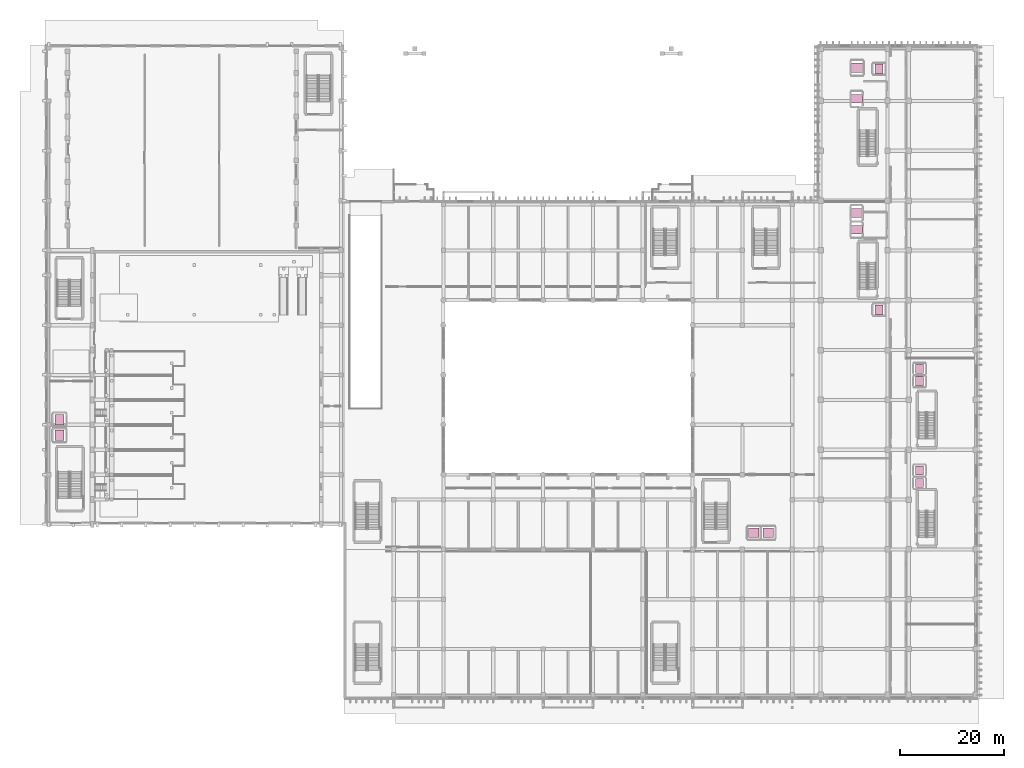
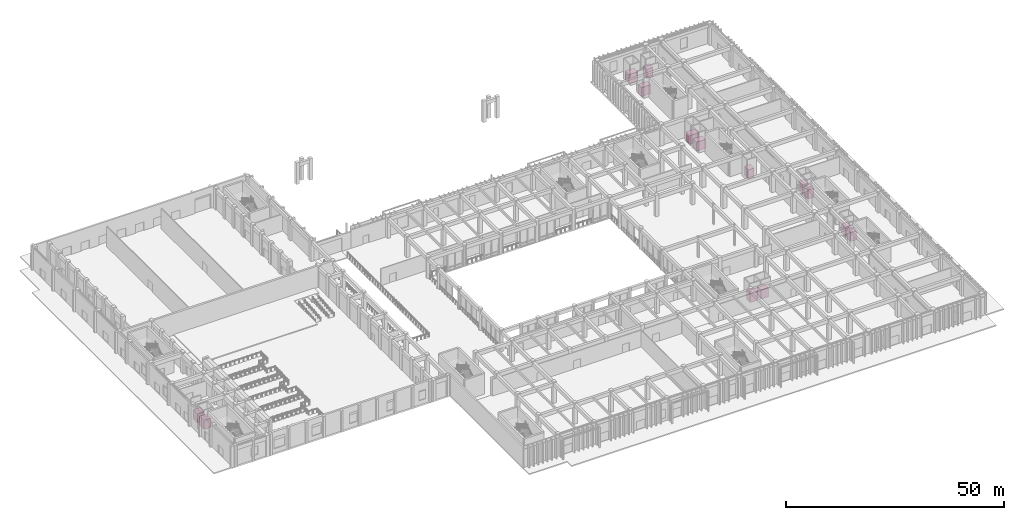
# One storey, part 87 of 87: 14 transport elements.
"""IFC4 building model written with IfcOpenShell, lengths in metres."""

from ifc_helpers import new_model, si_unit, direction, frame, origin, origin_2d, place, context, subcontext, project, spatial, rectangle, extrude, material, type_object, element, save


model = new_model("IFC4")

# Units and contexts
model_context = context("Model", 3, precision=1e-05, world=origin(), true_north=direction((0.0, 1.0)))
body_context = subcontext(model_context, "Body", "Model", "MODEL_VIEW")
ifc_project = project(units=[si_unit("LENGTHUNIT", "METRE"), si_unit("AREAUNIT", "SQUARE_METRE"), si_unit("VOLUMEUNIT", "CUBIC_METRE"), si_unit("PLANEANGLEUNIT", "RADIAN"), si_unit("MASSUNIT", "GRAM", prefix="KILO")], contexts=[model_context])

# Site, building, storey
site_placement = place(None, origin())
site = spatial("IfcSite", under=ifc_project, at=site_placement, CompositionType="ELEMENT")
building_placement = place(site_placement, origin())
building = spatial("IfcBuilding", under=site, at=building_placement, Name="Nakhvara Creek Congress Hotel", CompositionType="ELEMENT")
storey_placement = place(building_placement, origin())
storey = spatial("IfcBuildingStorey", under=building, at=storey_placement, Name="L00", CompositionType="ELEMENT", Elevation=0.0)

# Transport elements
ifc_material = material(Name="Brushed stainless steel elevator cabin", Category="steel")
transport_element_type_1 = type_object("IfcTransportElementType", Name="LIFT-BOH-2500", PredefinedType="ELEVATOR", material=ifc_material)
for number, where, z_axis, x_axis, name in (
    (1, (156.39990234375, 93.60009765625, 0.0), (0.0, 0.0, 1.0), (0.0, 1.0, 0.0), "Passenger Elevator SL01"),
    (2, (156.5, 121.60009765625, 0.0), (0.0, 0.0, 1.0), (0.0, 1.0, 0.0), "Passenger Elevator SL02"),
):
    element("IfcTransportElement", number, at=place(storey_placement, frame(where, z_axis=z_axis, x_axis=x_axis)), inside=storey, type_object=transport_element_type_1, Name=name, PredefinedType="ELEVATOR", context=body_context, shape_type="SweptSolid", body=[
        extrude(rectangle(XDim=1.800048828125, YDim=2.39990234375, at=origin_2d()), origin(), (0.0, 0.0, 1.0), 2.550048828125),
    ])
transport_element_type_2 = type_object("IfcTransportElementType", Name="LIFT-CONG-2000", PredefinedType="ELEVATOR", material=ifc_material)
for number, where, z_axis, x_axis, name in (
    (3, (2.800048828125, 50.800048828125, 0.0), (0.0, 0.0, 1.0), (0.0, 1.0, 0.0), "Passenger Elevator CL01"),
    (4, (2.800048828125, 53.800048828125, 0.0), (0.0, 0.0, 1.0), (0.0, 1.0, 0.0), "Passenger Elevator CL02"),
    (5, (136.60009765625, 32.0, 0.0), (0.0, 0.0, 1.0), (1.0, 0.0, 0.0), "Passenger Elevator CL03"),
    (6, (139.39990234375, 32.0, 0.0), (0.0, 0.0, 1.0), (1.0, 0.0, 0.0), "Passenger Elevator CL04"),
):
    element("IfcTransportElement", number, at=place(storey_placement, frame(where, z_axis=z_axis, x_axis=x_axis)), inside=storey, type_object=transport_element_type_2, Name=name, PredefinedType="ELEVATOR", context=body_context, shape_type="SweptSolid", body=[
        extrude(rectangle(XDim=2.0, YDim=1.800048828125, at=origin_2d()), origin(), (0.0, 0.0, 1.0), 2.550048828125),
    ])
transport_element_type_3 = type_object("IfcTransportElementType", Name="LIFT-FFL-1800", PredefinedType="ELEVATOR", material=ifc_material)
for number, where, z_axis, x_axis, name in (
    (7, (156.39990234375, 90.39990234375, 0.0), (0.0, 0.0, 1.0), (0.0, 1.0, 0.0), "Firefighting Elevator FFL1"),
    (8, (156.39990234375, 115.60009765625, 0.0), (0.0, 0.0, 1.0), (0.0, 1.0, 0.0), "Firefighting Elevator FFL2"),
):
    element("IfcTransportElement", number, at=place(storey_placement, frame(where, z_axis=z_axis, x_axis=x_axis)), inside=storey, type_object=transport_element_type_3, Name=name, PredefinedType="ELEVATOR", context=body_context, shape_type="SweptSolid", body=[
        extrude(rectangle(XDim=1.60009765625, YDim=2.39990234375, at=origin_2d()), origin(), (0.0, 0.0, 1.0), 2.550048828125),
    ])
transport_element_type_4 = type_object("IfcTransportElementType", Name="LIFT-PAX-1600", PredefinedType="ELEVATOR", material=ifc_material)
for number, where, z_axis, x_axis, name in (
    (9, (160.699951171875, 75.0, 0.0), (0.0, 0.0, 1.0), (0.0, 1.0, 0.0), "Passenger Elevator PL02"),
    (10, (160.699951171875, 121.39990234375, 0.0), (0.0, 0.0, 1.0), (0.0, 1.0, 0.0), "Passenger Elevator PL01"),
    (11, (168.5, 41.60009765625, 0.0), (0.0, 0.0, 1.0), (0.0, 1.0, 0.0), "Passenger Elevator PL03"),
    (12, (168.5, 44.0, 0.0), (0.0, 0.0, 1.0), (0.0, 1.0, 0.0), "Passenger Elevator PL04"),
    (13, (168.5, 61.199951171875, 0.0), (0.0, 0.0, 1.0), (0.0, 1.0, 0.0), "Passenger Elevator PL05"),
    (14, (168.5, 63.60009765625, 0.0), (0.0, 0.0, 1.0), (0.0, 1.0, 0.0), "Passenger Elevator PL06"),
):
    element("IfcTransportElement", number, at=place(storey_placement, frame(where, z_axis=z_axis, x_axis=x_axis)), inside=storey, type_object=transport_element_type_4, Name=name, PredefinedType="ELEVATOR", context=body_context, shape_type="SweptSolid", body=[
        extrude(rectangle(XDim=1.800048828125, YDim=1.60009765625, at=origin_2d()), origin(), (0.0, 0.0, 1.0), 2.550048828125),
    ])

save(model, "model.ifc")
